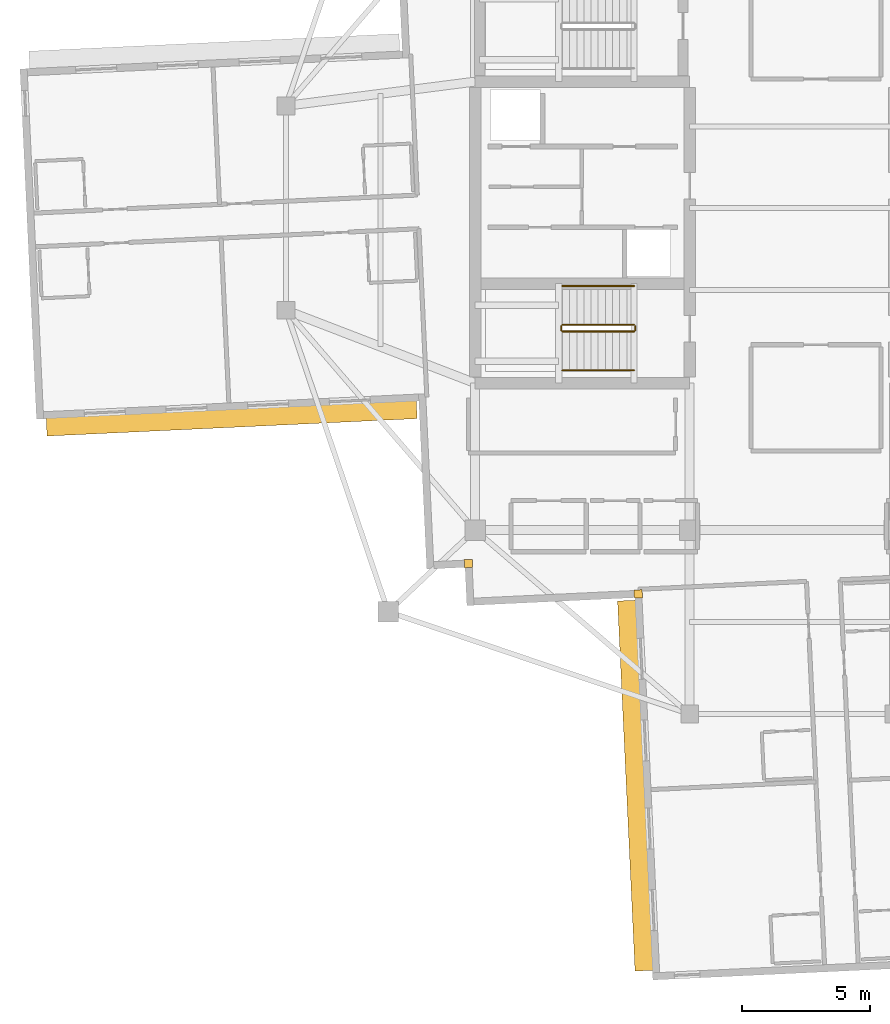
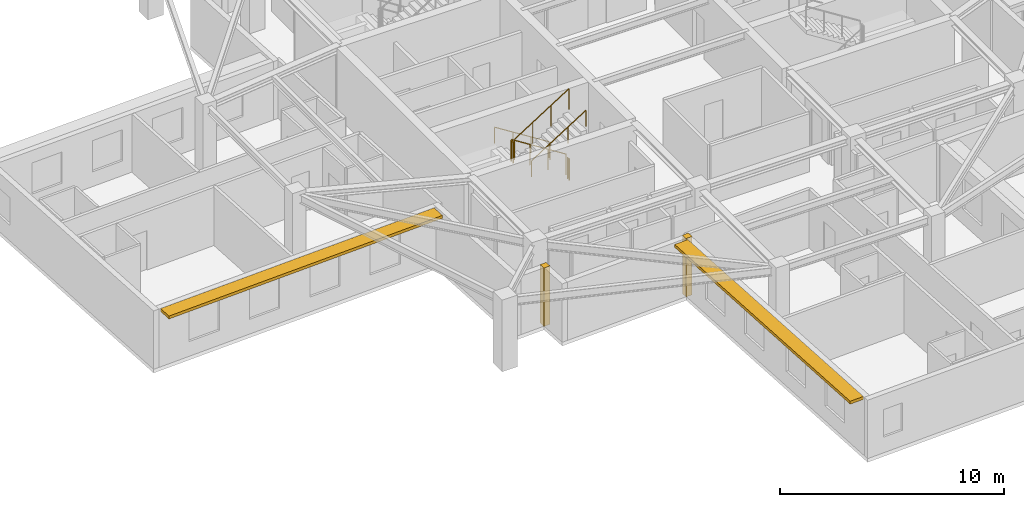
# One storey, part 10 of 13: 6 railings, 2 coverings, 2 shading devices.
"""IFC4 building model written with IfcOpenShell, lengths in metres."""

from ifc_helpers import new_model, si_unit, direction, frame, origin, origin_2d, place, context, subcontext, project, spatial, rectangle, circle, extrude, material, layer, layer_set, type_object, element, save


model = new_model("IFC4")

# Units and contexts
model_context = context("Model", 3, precision=1e-05, world=origin(), true_north=direction((0.0, 1.0)))
body_context = subcontext(model_context, "Body", "Model", "MODEL_VIEW")
ifc_project = project(units=[si_unit("LENGTHUNIT", "METRE"), si_unit("AREAUNIT", "SQUARE_METRE"), si_unit("VOLUMEUNIT", "CUBIC_METRE"), si_unit("PLANEANGLEUNIT", "RADIAN"), si_unit("MASSUNIT", "GRAM", prefix="KILO")], contexts=[model_context])

# Site, building, storey
site_placement = place(None, origin())
site = spatial("IfcSite", under=ifc_project, at=site_placement, CompositionType="ELEMENT")
building_placement = place(site_placement, origin())
building = spatial("IfcBuilding", under=site, at=building_placement, Name="Qingluan Cross Belvedere", CompositionType="ELEMENT")
storey_placement = place(building_placement, frame((0.0, 0.0, 277.199951171875)))
storey = spatial("IfcBuildingStorey", under=building, at=storey_placement, Name="L69", CompositionType="ELEMENT", Elevation=277.199951171875)

# Coverings
ifc_material_1 = material(Name="Precast concrete C45", Category="concrete")
ifc_layer_1 = layer(ifc_material_1, 0.1201171875, Name="ConcreteSpandrelCladding_120")
ifc_layer_set_1 = layer_set([ifc_layer_1], Name="Precast concrete C45")
covering_type = type_object("IfcCoveringType", Name="ConcreteSpandrelCladding_120", PredefinedType="CLADDING", material=ifc_layer_set_1)
for number, where, z_axis, x_axis, name in (
    (1, (-12.65869140625, -13.911865234375, 0.0), (0.0, 0.0, 1.0), (0.998889874962, 0.04710645071, 0.0), "Corner closure L69-SW1"),
    (2, (-6.015380859375, -15.10009765625, 0.0), (0.0, 0.0, 1.0), (0.998889874962, 0.04710645071, 0.0), "Corner closure L69-SW2"),
):
    element("IfcCovering", number, at=place(storey_placement, frame(where, z_axis=z_axis, x_axis=x_axis)), inside=storey, type_object=covering_type, Name=name, PredefinedType="CLADDING", context=body_context, shape_type="SweptSolid", body=[
        extrude(rectangle(XDim=0.320068359375, YDim=0.320068359375, at=origin_2d()), origin(), (0.0, 0.0, 1.0), 3.179931640625),
    ])

# Shading devices
ifc_material_2 = material(Name="Precast concrete C45", Category="concrete")
ifc_layer_2 = layer(ifc_material_2, 0.139892578125, Name="ConcreteSunshadeBand_700")
ifc_layer_set_2 = layer_set([ifc_layer_2], Name="Precast concrete C45")
shading_device_type = type_object("IfcShadingDeviceType", Name="ConcreteSunshadeBand_700", PredefinedType="USERDEFINED", material=ifc_layer_set_2)
for number, where, z_axis, x_axis, name in (
    (3, (-21.926513671875, -8.23193359375, 3.0), (0.0, 0.0, 1.0), (0.998889750114, 0.047109098032, 0.0), "Concrete SUNSHADE L69-WB"),
    (4, (-6.132080078125, -22.60400390625, 3.0), (0.0, 0.0, 1.0), (0.047108777928, -0.99888976521, 0.0), "Concrete SUNSHADE L69-SA"),
):
    element("IfcShadingDevice", number, at=place(storey_placement, frame(where, z_axis=z_axis, x_axis=x_axis)), inside=storey, type_object=shading_device_type, Name=name, ObjectType="SUNSHADE", PredefinedType="USERDEFINED", context=body_context, shape_type="SweptSolid", body=[
        extrude(rectangle(XDim=14.5, YDim=0.699951171875, at=origin_2d()), origin(), (0.0, 0.0, 1.0), 0.159912109375),
    ])

# Railings
ifc_material_3 = material(Name="Brushed stainless steel tubular handrail", Category="steel")
railing_type_1 = type_object("IfcRailingType", Name="StairPitchHandrail_900", PredefinedType="HANDRAIL", material=ifc_material_3)
railing_1_placement = place(storey_placement, frame((-6.179931640625, -3.050048828125, 0.17724609375)))
element("IfcRailing", 5, at=railing_1_placement, inside=storey, type_object=railing_type_1, Name="L69 ST1 stair handrail 1", PredefinedType="HANDRAIL", context=body_context, shape_type="SweptSolid", body=[
    extrude(circle(Radius=0.02392578125, at=origin_2d()), frame((0.0, 0.0, 0.8759765625), z_axis=(-0.844908973607, 0.0, 0.534910110503), x_axis=(0.0, -1.0, 0.0)), (0.0, 0.0, 1.0), 3.31396484375),
    extrude(circle(Radius=0.02099609375, at=origin_2d()), origin(), (0.0, 0.0, 1.0), 0.851806640625),
    extrude(circle(Radius=0.02099609375, at=origin_2d()), frame((-0.933349609375, 0.0, 0.5908203125)), (0.0, 0.0, 1.0), 0.851806640625),
    extrude(circle(Radius=0.02099609375, at=origin_2d()), frame((-1.86669921875, 0.0, 1.181884765625)), (0.0, 0.0, 1.0), 0.851806640625),
    extrude(circle(Radius=0.02099609375, at=origin_2d()), frame((-2.800048828125, 0.0, 1.772705078125)), (0.0, 0.0, 1.0), 0.851806640625),
])
railing_2_placement = place(storey_placement, frame((-8.97998046875, -6.35009765625, 2.12744140625)))
element("IfcRailing", 6, at=railing_2_placement, inside=storey, type_object=railing_type_1, Name="L69 ST1 stair handrail 2", PredefinedType="HANDRAIL", context=body_context, shape_type="SweptSolid", body=[
    extrude(circle(Radius=0.02392578125, at=origin_2d()), frame((0.0, 0.0, 0.8759765625), z_axis=(0.844908973607, 0.0, 0.534910110503), x_axis=(0.0, 1.0, 0.0)), (0.0, 0.0, 1.0), 3.31396484375),
    extrude(circle(Radius=0.02099609375, at=origin_2d()), origin(), (0.0, 0.0, 1.0), 0.851806640625),
    extrude(circle(Radius=0.02099609375, at=origin_2d()), frame((0.933349609375, 0.0, 0.5908203125)), (0.0, 0.0, 1.0), 0.851806640625),
    extrude(circle(Radius=0.02099609375, at=origin_2d()), frame((1.86669921875, 0.0, 1.181884765625)), (0.0, 0.0, 1.0), 0.851806640625),
    extrude(circle(Radius=0.02099609375, at=origin_2d()), frame((2.800048828125, 0.0, 1.772705078125)), (0.0, 0.0, 1.0), 0.851806640625),
])
ifc_material_4 = material(Name="Painted steel stair well guard", Category="steel")
railing_type_2 = type_object("IfcRailingType", Name="StairWellGuard_1150", PredefinedType="BALUSTRADE", material=ifc_material_4)
railing_3_placement = place(storey_placement, frame((-6.179931640625, -4.570068359375, 0.17724609375)))
element("IfcRailing", 7, at=railing_3_placement, inside=storey, type_object=railing_type_2, Name="L69 ST1 stair guard 1", PredefinedType="BALUSTRADE", context=body_context, shape_type="SweptSolid", body=[
    extrude(circle(Radius=0.02392578125, at=origin_2d()), frame((0.0, 0.0, 1.1259765625), z_axis=(-0.844908973607, 0.0, 0.534910110503), x_axis=(0.0, -1.0, 0.0)), (0.0, 0.0, 1.0), 3.31396484375),
    extrude(circle(Radius=0.02099609375, at=origin_2d()), origin(), (0.0, 0.0, 1.0), 1.101806640625),
    extrude(circle(Radius=0.02099609375, at=origin_2d()), frame((-0.933349609375, 0.0, 0.5908203125)), (0.0, 0.0, 1.0), 1.101806640625),
    extrude(circle(Radius=0.02099609375, at=origin_2d()), frame((-1.86669921875, 0.0, 1.181884765625)), (0.0, 0.0, 1.0), 1.101806640625),
    extrude(circle(Radius=0.02099609375, at=origin_2d()), frame((-2.800048828125, 0.0, 1.772705078125)), (0.0, 0.0, 1.0), 1.101806640625),
])
railing_4_placement = place(storey_placement, frame((-9.030029296875, -4.6201171875, 1.949951171875)))
element("IfcRailing", 8, at=railing_4_placement, inside=storey, type_object=railing_type_2, Name="L69 ST1 stair guard 2", PredefinedType="BALUSTRADE", context=body_context, shape_type="SweptSolid", body=[
    extrude(circle(Radius=0.02392578125, at=origin_2d()), frame((0.0, 0.0, 1.1259765625), z_axis=(0.0, -1.0, 0.0), x_axis=(1.0, 0.0, 0.0)), (0.0, 0.0, 1.0), 0.159912109375),
    extrude(circle(Radius=0.02099609375, at=origin_2d()), origin(), (0.0, 0.0, 1.0), 1.101806640625),
    extrude(circle(Radius=0.02099609375, at=origin_2d()), frame((0.0, -0.159912109375, 0.0)), (0.0, 0.0, 1.0), 1.101806640625),
])
railing_5_placement = place(storey_placement, frame((-8.97998046875, -4.830078125, 2.12744140625)))
element("IfcRailing", 9, at=railing_5_placement, inside=storey, type_object=railing_type_2, Name="L69 ST1 stair guard 3", PredefinedType="BALUSTRADE", context=body_context, shape_type="SweptSolid", body=[
    extrude(circle(Radius=0.02392578125, at=origin_2d()), frame((0.0, 0.0, 1.1259765625), z_axis=(0.844908973607, 0.0, 0.534910110503), x_axis=(0.0, 1.0, 0.0)), (0.0, 0.0, 1.0), 3.31396484375),
    extrude(circle(Radius=0.02099609375, at=origin_2d()), origin(), (0.0, 0.0, 1.0), 1.101806640625),
    extrude(circle(Radius=0.02099609375, at=origin_2d()), frame((0.933349609375, 0.0, 0.5908203125)), (0.0, 0.0, 1.0), 1.101806640625),
    extrude(circle(Radius=0.02099609375, at=origin_2d()), frame((1.86669921875, 0.0, 1.181884765625)), (0.0, 0.0, 1.0), 1.101806640625),
    extrude(circle(Radius=0.02099609375, at=origin_2d()), frame((2.800048828125, 0.0, 1.772705078125)), (0.0, 0.0, 1.0), 1.101806640625),
])
railing_6_placement = place(storey_placement, frame((-6.1298828125, -4.6201171875, 0.0)))
element("IfcRailing", 10, at=railing_6_placement, inside=storey, type_object=railing_type_2, Name="L69 ST1 stair guard 4", PredefinedType="BALUSTRADE", context=body_context, shape_type="SweptSolid", body=[
    extrude(circle(Radius=0.02392578125, at=origin_2d()), frame((0.0, 0.0, 1.1259765625), z_axis=(0.0, -1.0, 0.0), x_axis=(1.0, 0.0, 0.0)), (0.0, 0.0, 1.0), 0.159912109375),
    extrude(circle(Radius=0.02099609375, at=origin_2d()), origin(), (0.0, 0.0, 1.0), 1.101806640625),
    extrude(circle(Radius=0.02099609375, at=origin_2d()), frame((0.0, -0.159912109375, 0.0)), (0.0, 0.0, 1.0), 1.101806640625),
])

save(model, "model.ifc")
